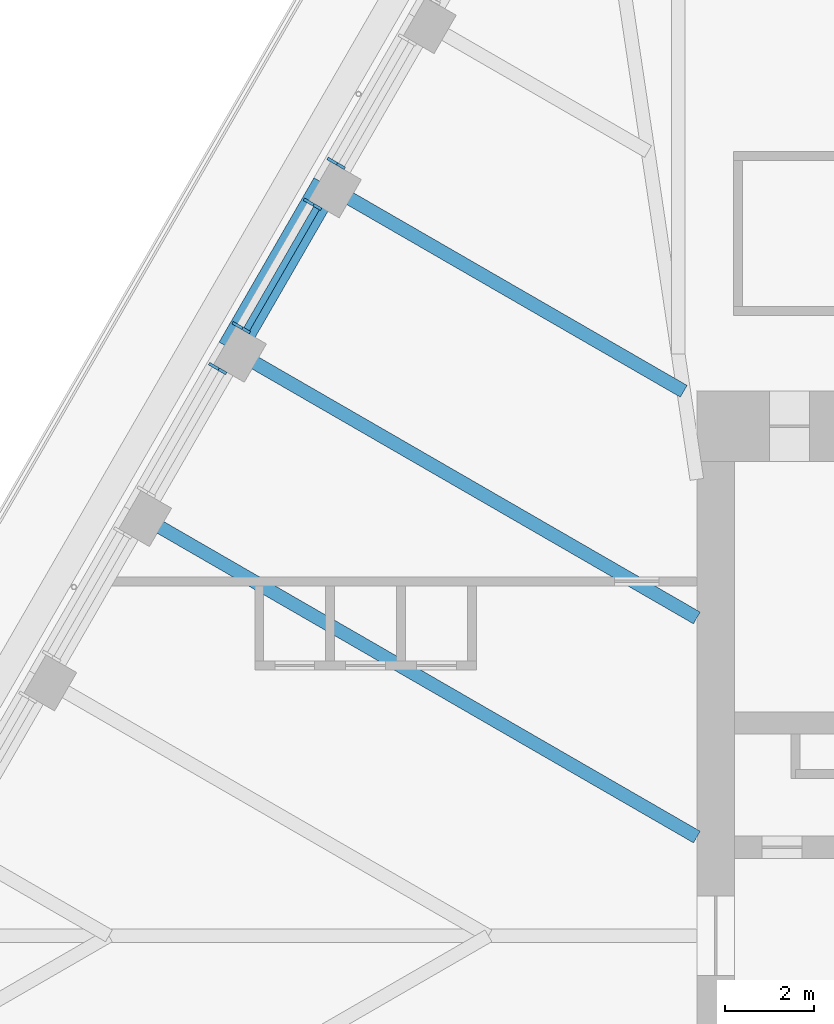
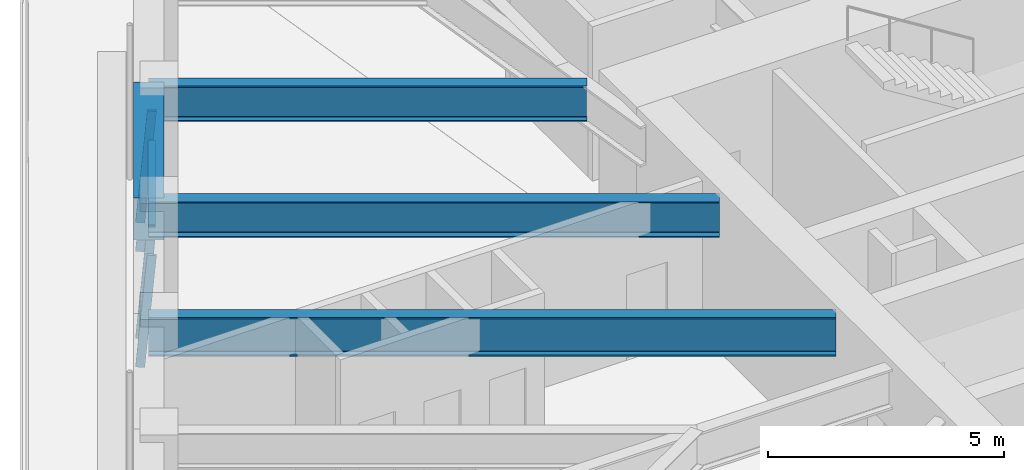
# One storey, part 7 of 19: 5 members, 4 beams, 3 elements without a shape of their own.
"""IFC4 building model written with IfcOpenShell, lengths in metres."""

import ifcopenshell
import ifcopenshell.guid

model = None  # the IFC model being written
_history = None  # IfcOwnerHistory: only IFC2X3 demands one
_inside = {}  # id of a spatial element -> (the spatial element, [elements in it])
_under = {}  # id of a project, library or spatial element -> (it, [spatial elements below it])
_declared = {}  # id of a project -> (the project, [libraries it declares])
_typed = {}  # id of a type object -> (the type object, [elements of that type])
_made_of = {}  # id of a material, layer set ... -> (it, [elements and type objects made of it])


def new_model(schema):
    """Start an empty IFC model of exactly this schema.

    Asked for "IFC4X3", IfcOpenShell would pick the latest addendum, in which some entities
    have other attributes; the version numbers below select the first issue.
    IFC2X3 requires an IfcOwnerHistory on every rooted entity: one is made here for all.
    """
    global model, _history
    if schema == "IFC4X3":
        model = ifcopenshell.file(schema_version=(4, 3, 0, 0))
    else:
        model = ifcopenshell.file(schema=schema)
    _inside.clear()
    _under.clear()
    _declared.clear()
    _typed.clear()
    _made_of.clear()
    _history = None
    if model.schema == "IFC2X3":
        org = make("IfcOrganization", Name="unknown")
        user = make(
            "IfcPersonAndOrganization",
            ThePerson=make("IfcPerson", FamilyName="unknown"),
            TheOrganization=org,
        )
        app = make(
            "IfcApplication",
            ApplicationDeveloper=org,
            Version="unknown",
            ApplicationFullName="unknown",
            ApplicationIdentifier="unknown",
        )
        _history = make(
            "IfcOwnerHistory",
            OwningUser=user,
            OwningApplication=app,
            ChangeAction="ADDED",
            CreationDate=0,
        )
    return model


def make(cls, **values):
    """One entity of the class cls with the attributes given. An attribute that is None is left unset."""
    return model.create_entity(
        cls, **{name: value for name, value in values.items() if value is not None}
    )


def rooted(cls, **values):
    """An entity with a GlobalId (a new one), such as an element, a storey or a relation."""
    return make(cls, GlobalId=ifcopenshell.guid.new(), OwnerHistory=_history, **values)


def si_unit(unit_type, name, prefix=None):
    """IfcSIUnit, for example si_unit("LENGTHUNIT", "METRE", prefix="MILLI")."""
    return make("IfcSIUnit", UnitType=unit_type, Prefix=prefix, Name=name)


def assignment(units):
    """IfcUnitAssignment: the units of a project."""
    return None if units is None else make("IfcUnitAssignment", Units=units)


def point(xyz):
    """IfcCartesianPoint."""
    return None if xyz is None else make("IfcCartesianPoint", Coordinates=xyz)


def direction(xyz):
    """IfcDirection."""
    return None if xyz is None else make("IfcDirection", DirectionRatios=xyz)


def frame(location, z_axis=None, x_axis=None):
    """IfcAxis2Placement3D, a coordinate frame: its origin and axes. An axis left out is left unset."""
    return make(
        "IfcAxis2Placement3D",
        Location=point(location),
        Axis=direction(z_axis),
        RefDirection=direction(x_axis),
    )


def frame_2d(location, x_axis=None):
    """IfcAxis2Placement2D, a coordinate frame in the plane: its origin and x axis."""
    return make(
        "IfcAxis2Placement2D", Location=point(location), RefDirection=direction(x_axis)
    )


def origin():
    """The frame at (0, 0, 0) with its axes left unset."""
    return frame((0.0, 0.0, 0.0))


def origin_2d():
    """The frame at (0, 0) in the plane with its x axis left unset."""
    return frame_2d((0.0, 0.0))


def place(relative_to, where):
    """IfcLocalPlacement: puts the frame where relative to a parent placement (None: the world)."""
    return make(
        "IfcLocalPlacement", PlacementRelTo=relative_to, RelativePlacement=where
    )


def context(
    kind, dimensions, precision=None, world=None, true_north=None, identifier=None
):
    """IfcGeometricRepresentationContext, for example the 3D "Model" context."""
    return make(
        "IfcGeometricRepresentationContext",
        ContextIdentifier=identifier,
        ContextType=kind,
        CoordinateSpaceDimension=dimensions,
        Precision=precision,
        WorldCoordinateSystem=world,
        TrueNorth=true_north,
    )


def subcontext(parent, identifier, kind, view, scale=None):
    """IfcGeometricRepresentationSubContext, for example "Body" below "Model"."""
    return make(
        "IfcGeometricRepresentationSubContext",
        ContextIdentifier=identifier,
        ContextType=kind,
        ParentContext=parent,
        TargetScale=scale,
        TargetView=view,
    )


def project(units=None, contexts=None):
    """IfcProject with its units and contexts."""
    return rooted(
        "IfcProject",
        Name="project",
        RepresentationContexts=contexts,
        UnitsInContext=assignment(units),
    )


def spatial(cls, under=None, at=None, **own):
    """A site, building, storey or space (cls), placed at a placement, below another one or the project."""
    s = rooted(cls, ObjectPlacement=at, **own)
    if under is not None:
        _under.setdefault(under.id(), (under, []))[1].append(s)
    return s


def profile(cls, at=None, kind="AREA", **sizes):
    """A parametric profile (cls). Its sizes go by their IFC names, for example OverallWidth=200.0."""
    return make(cls, ProfileType=kind, Position=at, **sizes)


def rectangle(**sizes):
    """IfcRectangleProfileDef."""
    return profile("IfcRectangleProfileDef", **sizes)


def i_section(**sizes):
    """IfcIShapeProfileDef."""
    return profile("IfcIShapeProfileDef", **sizes)


def extrude(swept, where, along, depth):
    """IfcExtrudedAreaSolid: the profile swept, set in the frame where, extruded along a direction by depth."""
    return make(
        "IfcExtrudedAreaSolid",
        SweptArea=swept,
        Position=where,
        ExtrudedDirection=direction(along),
        Depth=depth,
    )


def shape(context_of_items, identifier, shape_type, items):
    """IfcShapeRepresentation: the items that make up one representation, for example the "Body"."""
    return make(
        "IfcShapeRepresentation",
        ContextOfItems=context_of_items,
        RepresentationIdentifier=identifier,
        RepresentationType=shape_type,
        Items=items,
    )


def material(Name=None, Category=None):
    """IfcMaterial."""
    return make("IfcMaterial", Name=Name, Category=Category)


def material_profile(
    of_material, cross_section, Name=None, Category=None, Priority=None
):
    """IfcMaterialProfile: a cross section and its material."""
    return make(
        "IfcMaterialProfile",
        Name=Name,
        Material=of_material,
        Profile=cross_section,
        Priority=Priority,
        Category=Category,
    )


def profile_set(profiles, Name=None, composite=None):
    """IfcMaterialProfileSet."""
    return make(
        "IfcMaterialProfileSet",
        Name=Name,
        MaterialProfiles=profiles,
        CompositeProfile=composite,
    )


def made_of(thing, what):
    """Note that an element or type object is made of a material, layer set ...; save() writes the relation."""
    if what is not None:
        _made_of.setdefault(what.id(), (what, []))[1].append(thing)
    return thing


def type_object(cls, material=None, **own):
    """A type object (cls), such as IfcWallType, which elements share."""
    return made_of(rooted(cls, **own), material)


def element(
    cls,
    number,
    at=None,
    inside=None,
    cuts=None,
    type_object=None,
    material=None,
    context=None,
    identifier="Body",
    shape_type=None,
    held_by="IfcProductDefinitionShape",
    body=None,
    shapes=None,
    **own,
):
    """One element of the class cls, such as IfcWall. Its Tag is "e" and its number.

    at: its placement. inside: the storey or other place that contains it. cuts: it is an
    opening in that element (IfcRelVoidsElement). A single representation is given by context,
    identifier, shape_type and body (its items); several are given by shapes. held_by: the class
    of the entity that holds the representations. save() writes the other relations.
    """
    e = rooted(cls, Tag="e%d" % number, ObjectPlacement=at, **own)
    if body is not None:
        shapes = [shape(context, identifier, shape_type, body)]
    if shapes is not None:
        e.Representation = make(held_by, Representations=shapes)
    if inside is not None:
        _inside.setdefault(inside.id(), (inside, []))[1].append(e)
    if cuts is not None:
        rooted(
            "IfcRelVoidsElement", RelatingBuildingElement=cuts, RelatedOpeningElement=e
        )
    if type_object is not None:
        _typed.setdefault(type_object.id(), (type_object, []))[1].append(e)
    return made_of(e, material)


def aggregate(whole, parts):
    """IfcRelAggregates: a whole, such as a stair, and the parts it consists of."""
    return rooted("IfcRelAggregates", RelatingObject=whole, RelatedObjects=parts)


def save(model, path):
    """Write the relations noted so far, then the file.

    IfcRelAggregates (storeys below a building ...), IfcRelContainedInSpatialStructure (elements
    in a storey), IfcRelDefinesByType, IfcRelAssociatesMaterial and IfcRelDeclares: one each for
    every whole, place, type object, material and project.
    """
    for whole, parts in _under.values():
        aggregate(whole, parts)
    for where, things in _inside.values():
        rooted(
            "IfcRelContainedInSpatialStructure",
            RelatedElements=things,
            RelatingStructure=where,
        )
    for kind, things in _typed.values():
        rooted("IfcRelDefinesByType", RelatedObjects=things, RelatingType=kind)
    for what, things in _made_of.values():
        rooted("IfcRelAssociatesMaterial", RelatedObjects=things, RelatingMaterial=what)
    for by, libraries in _declared.values():
        rooted("IfcRelDeclares", RelatingContext=by, RelatedDefinitions=libraries)
    model.write(path)


model = new_model("IFC4")

# Units and contexts
model_context = context("Model", 3, precision=1e-05, world=origin(), true_north=direction((0.0, 1.0)))
body_context = subcontext(model_context, "Body", "Model", "MODEL_VIEW")
ifc_project = project(units=[si_unit("LENGTHUNIT", "METRE"), si_unit("AREAUNIT", "SQUARE_METRE"), si_unit("VOLUMEUNIT", "CUBIC_METRE"), si_unit("PLANEANGLEUNIT", "RADIAN"), si_unit("MASSUNIT", "GRAM", prefix="KILO")], contexts=[model_context])

# Site, building, storey
site_placement = place(None, origin())
site = spatial("IfcSite", under=ifc_project, at=site_placement, CompositionType="ELEMENT")
building_placement = place(site_placement, origin())
building = spatial("IfcBuilding", under=site, at=building_placement, Name="Tarfa Lantern Tower", CompositionType="ELEMENT")
storey_placement = place(building_placement, frame((0.0, 0.0, 345.10009765625)))
storey = spatial("IfcBuildingStorey", under=building, at=storey_placement, Name="L78", CompositionType="ELEMENT", Elevation=345.10009765625)

# Curtain wall, member
ifc_material_1 = material(Name="Aluminium framed curtain wall", Category="aluminium")
curtain_wall_type = type_object("IfcCurtainWallType", Name="CW4 CANTED GLAZING EXECUTIVE ZONE 2900", PredefinedType="USERDEFINED", material=ifc_material_1)
curtain_wall_1_placement = place(storey_placement, origin())
curtain_wall_1 = element("IfcCurtainWall", 1, at=curtain_wall_1_placement, inside=storey, type_object=curtain_wall_type, Name="CW4 NW L78", ObjectType="CURTAIN WALL", PredefinedType="USERDEFINED")
ifc_material_2 = material(Name="Aluminium mullion", Category="aluminium")
ifc_material_profile_1 = material_profile(ifc_material_2, rectangle(XDim=0.06494140625, YDim=0.199951171875, at=origin_2d()), Name="AL MULLION 65x200")
ifc_profile_set_1 = profile_set([ifc_material_profile_1], Name="Aluminium mullion")
member_type_1 = type_object("IfcMemberType", Name="CWM1 MULLION 65x200", PredefinedType="MULLION", material=ifc_profile_set_1)
member_1_placement = place(storey_placement, frame((-20.67236328125, 17.494384765625, 0.0), z_axis=(0.074399820079, -0.042945555672, 0.996303340364), x_axis=(0.499919672301, 0.866071776036, 0.0)))
member_1 = element("IfcMember", 2, at=member_1_placement, type_object=member_type_1, Name="CW4 mullion 2", PredefinedType="MULLION", context=body_context, shape_type="SweptSolid", body=[
    extrude(rectangle(XDim=0.06494140625, YDim=0.199951171875, at=origin_2d()), origin(), (0.0, 0.0, 1.0), 2.91064453125),
])
aggregate(curtain_wall_1, [member_1])

# Curtain wall, members
curtain_wall_2_placement = place(storey_placement, origin())
curtain_wall_2 = element("IfcCurtainWall", 3, at=curtain_wall_2_placement, inside=storey, type_object=curtain_wall_type, Name="CW4 NW L78", ObjectType="CURTAIN WALL", PredefinedType="USERDEFINED")
member_2_placement = place(storey_placement, frame((-21.204833984375, 16.572265625, 0.0), z_axis=(0.074399820079, -0.042945555672, 0.996303340364), x_axis=(0.499919672301, 0.866071776036, 0.0)))
member_2 = element("IfcMember", 4, at=member_2_placement, type_object=member_type_1, Name="CW4 mullion 1", PredefinedType="MULLION", context=body_context, shape_type="SweptSolid", body=[
    extrude(rectangle(XDim=0.06494140625, YDim=0.199951171875, at=origin_2d()), origin(), (0.0, 0.0, 1.0), 2.91064453125),
])
member_3_placement = place(storey_placement, frame((-22.813232421875, 13.7861328125, 0.0), z_axis=(0.074316405553, -0.042945823525, 0.996309554359), x_axis=(0.500342721131, 0.865827443207, 0.0)))
member_3 = element("IfcMember", 5, at=member_3_placement, type_object=member_type_1, Name="CW4 mullion 2", PredefinedType="MULLION", context=body_context, shape_type="SweptSolid", body=[
    extrude(rectangle(XDim=0.06494140625, YDim=0.199951171875, at=origin_2d()), origin(), (0.0, 0.0, 1.0), 2.91064453125),
])

# Curtain wall, member
curtain_wall_3_placement = place(storey_placement, origin())
curtain_wall_3 = element("IfcCurtainWall", 6, at=curtain_wall_3_placement, inside=storey, type_object=curtain_wall_type, Name="CW4 NW L78", ObjectType="CURTAIN WALL", PredefinedType="USERDEFINED")
member_4_placement = place(storey_placement, frame((-23.345947265625, 12.86376953125, 0.0), z_axis=(0.074399820079, -0.042945555672, 0.996303340364), x_axis=(0.499919672301, 0.866071776036, 0.0)))
member_4 = element("IfcMember", 7, at=member_4_placement, type_object=member_type_1, Name="CW4 mullion 1", PredefinedType="MULLION", context=body_context, shape_type="SweptSolid", body=[
    extrude(rectangle(XDim=0.06494140625, YDim=0.199951171875, at=origin_2d()), origin(), (0.0, 0.0, 1.0), 2.91064453125),
])
aggregate(curtain_wall_3, [member_4])

# Member
ifc_material_3 = material(Name="Aluminium transom", Category="aluminium")
ifc_material_profile_2 = material_profile(ifc_material_3, rectangle(XDim=0.14990234375, YDim=0.06494140625, at=origin_2d()), Name="AL TRANSOM 150x65")
ifc_profile_set_2 = profile_set([ifc_material_profile_2], Name="Aluminium transom")
member_type_2 = type_object("IfcMemberType", Name="CWT1 TRANSOM 150x65", PredefinedType="USERDEFINED", material=ifc_profile_set_2)
member_5_placement = place(storey_placement, frame((-21.007080078125, 16.42041015625, 2.867431640625), z_axis=(-0.499979472441, -0.866037255052, 0.0), x_axis=(0.866037255052, -0.499979472441, 0.0)))
member_5 = element("IfcMember", 8, at=member_5_placement, type_object=member_type_2, Name="CW4 transom 1.2", ObjectType="TRANSOM", PredefinedType="USERDEFINED", context=body_context, shape_type="SweptSolid", body=[
    extrude(rectangle(XDim=0.14990234375, YDim=0.06494140625, at=origin_2d()), origin(), (0.0, 0.0, 1.0), 3.152099609375),
])

aggregate(curtain_wall_2, [member_2, member_3, member_5])

# Beams
ifc_material_4 = material(Name="Concrete C80/95", Category="concrete")
ifc_material_profile_3 = material_profile(ifc_material_4, rectangle(XDim=0.64990234375, YDim=1.10009765625, at=origin_2d()), Name="RC 650x1100")
ifc_profile_set_3 = profile_set([ifc_material_profile_3], Name="Concrete C80/95")
beam_type_1 = type_object("IfcBeamType", Name="EB4 RC 650x1100", PredefinedType="SPANDREL", material=ifc_profile_set_3)
beam_1_placement = place(storey_placement, frame((-20.78271484375, 16.943359375, 3.449951171875), z_axis=(-0.499984039138, -0.866034618596, 0.0), x_axis=(0.866034618596, -0.499984039138, 0.0)))
element("IfcBeam", 9, at=beam_1_placement, inside=storey, type_object=beam_type_1, Name="Edge beam NW2", PredefinedType="SPANDREL", context=body_context, shape_type="SweptSolid", body=[
    extrude(rectangle(XDim=0.64990234375, YDim=1.10009765625, at=origin_2d()), origin(), (0.0, 0.0, 1.0), 4.281982421875),
])
ifc_material_5 = material(Name="Steel S460M", Category="steel")
ifc_material_profile_4 = material_profile(ifc_material_5, i_section(OverallWidth=0.302001953125, OverallDepth=1.008056640625, WebThickness=0.02099609375, FlangeThickness=0.0400390625, FilletRadius=0.030029296875, at=origin_2d()), Name="UB1016x305x349")
ifc_profile_set_4 = profile_set([ifc_material_profile_4], Name="Steel S460M")
beam_type_2 = type_object("IfcBeamType", Name="UB1016x305x349", PredefinedType="BEAM", material=ifc_profile_set_4)
beam_2_placement = place(storey_placement, frame((-25.064697265625, 9.526611328125, 3.495849609375), z_axis=(0.866029591389, -0.499992746786, 0.0), x_axis=(0.499992746786, 0.866029591389, 0.0)))
element("IfcBeam", 10, at=beam_2_placement, inside=storey, type_object=beam_type_2, Name="Floor beam NW4", PredefinedType="BEAM", context=body_context, shape_type="SweptSolid", body=[
    extrude(i_section(OverallWidth=0.302001953125, OverallDepth=1.008056640625, WebThickness=0.02099609375, FlangeThickness=0.0400390625, FilletRadius=0.030029296875, at=origin_2d()), origin(), (0.0, 0.0, 1.0), 14.594970703125),
])
ifc_material_profile_5 = material_profile(ifc_material_5, i_section(OverallWidth=0.305419921875, OverallDepth=0.91845703125, WebThickness=0.017333984375, FlangeThickness=0.02783203125, FilletRadius=0.01904296875, at=origin_2d()), Name="UB914x305x253")
ifc_profile_set_5 = profile_set([ifc_material_profile_5], Name="Steel S460M")
beam_type_3 = type_object("IfcBeamType", Name="UB914x305x253", PredefinedType="BEAM", material=ifc_profile_set_5)
beam_3_placement = place(storey_placement, frame((-20.78271484375, 16.943359375, 3.540771484375), z_axis=(0.866021806508, -0.500006230613, 0.0), x_axis=(0.500006230613, 0.866021806508, 0.0)))
element("IfcBeam", 11, at=beam_3_placement, inside=storey, type_object=beam_type_3, Name="Floor beam NW2", PredefinedType="BEAM", context=body_context, shape_type="SweptSolid", body=[
    extrude(i_section(OverallWidth=0.305419921875, OverallDepth=0.91845703125, WebThickness=0.017333984375, FlangeThickness=0.02783203125, FilletRadius=0.01904296875, at=origin_2d()), origin(), (0.0, 0.0, 1.0), 9.30908203125),
])
beam_4_placement = place(storey_placement, frame((-22.923583984375, 13.235107421875, 3.540771484375), z_axis=(0.86601856927, -0.500011837539, 0.0), x_axis=(0.500011837539, 0.86601856927, 0.0)))
element("IfcBeam", 12, at=beam_4_placement, inside=storey, type_object=beam_type_3, Name="Floor beam NW3", PredefinedType="BEAM", context=body_context, shape_type="SweptSolid", body=[
    extrude(i_section(OverallWidth=0.305419921875, OverallDepth=0.91845703125, WebThickness=0.017333984375, FlangeThickness=0.02783203125, FilletRadius=0.01904296875, at=origin_2d()), origin(), (0.0, 0.0, 1.0), 12.122802734375),
])

save(model, "model.ifc")
